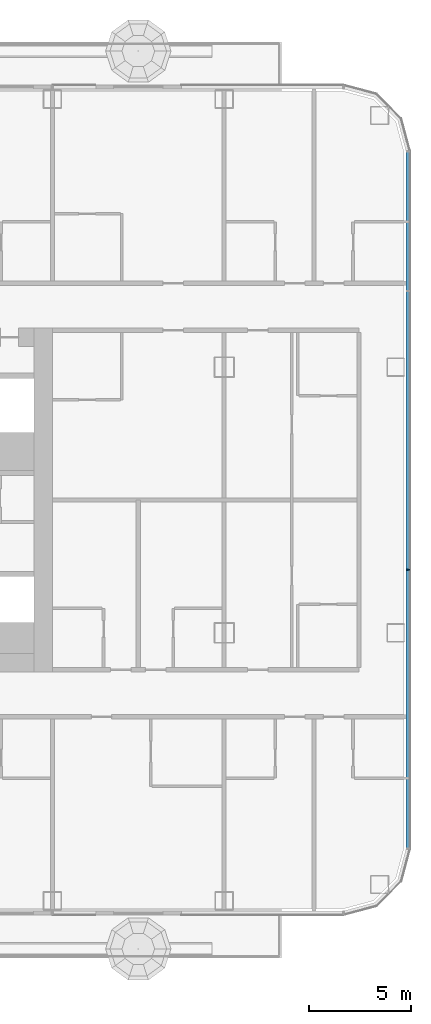
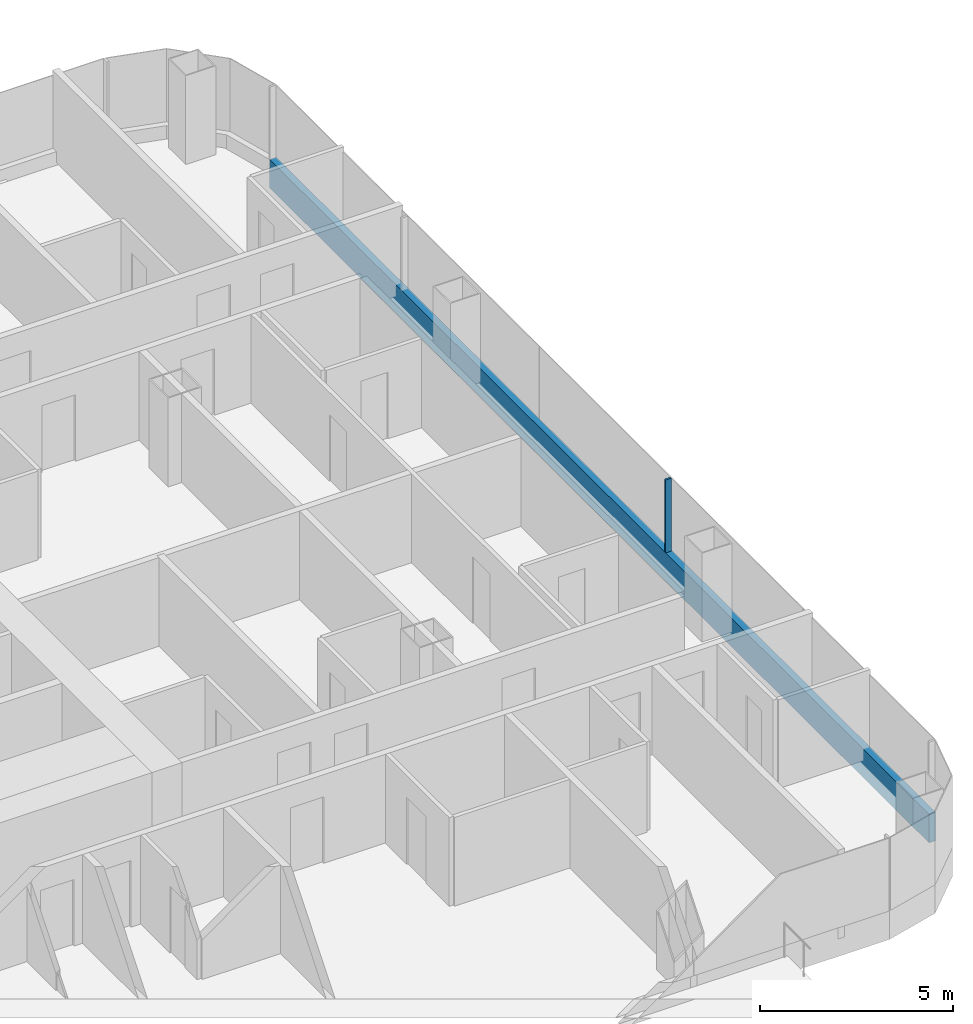
# One storey, part 9 of 36: 2 members, 1 element without a shape of its own.
"""IFC4 building model written with IfcOpenShell, lengths in metres."""

from ifc_helpers import new_model, si_unit, direction, frame, origin, origin_2d, place, context, subcontext, project, spatial, rectangle, extrude, material, layer, layer_set, material_profile, profile_set, type_object, element, aggregate, save


model = new_model("IFC4")

# Units and contexts
model_context = context("Model", 3, precision=1e-05, world=origin(), true_north=direction((0.0, 1.0)))
body_context = subcontext(model_context, "Body", "Model", "MODEL_VIEW")
ifc_project = project(units=[si_unit("LENGTHUNIT", "METRE"), si_unit("AREAUNIT", "SQUARE_METRE"), si_unit("VOLUMEUNIT", "CUBIC_METRE"), si_unit("PLANEANGLEUNIT", "RADIAN"), si_unit("MASSUNIT", "GRAM", prefix="KILO")], contexts=[model_context])

# Site, building, storey
site_placement = place(None, origin())
site = spatial("IfcSite", under=ifc_project, at=site_placement, CompositionType="ELEMENT")
building_placement = place(site_placement, origin())
building = spatial("IfcBuilding", under=site, at=building_placement, Name="Hakoniwa Tower and Hamabe Station Hall", CompositionType="ELEMENT")
storey_placement = place(building_placement, frame((0.0, 0.0, 26.199951171875)))
storey = spatial("IfcBuildingStorey", under=building, at=storey_placement, Name="L06", CompositionType="ELEMENT", Elevation=26.199951171875)

# Curtain wall, members
ifc_material_1 = material(Name="Dark low-e laminated glass", Category="glass")
ifc_layer = layer(ifc_material_1, 0.199951171875)
ifc_layer_set = layer_set([ifc_layer], Name="CW-1 UNITISED GUEST")
curtain_wall_type = type_object("IfcCurtainWallType", Name="CW-1 UNITISED GUEST", PredefinedType="NOTDEFINED", material=ifc_layer_set)
curtain_wall_placement = place(storey_placement, origin())
curtain_wall = element("IfcCurtainWall", 1, at=curtain_wall_placement, inside=storey, type_object=curtain_wall_type, Name="CW-1 curtain wall", PredefinedType="NOTDEFINED")
ifc_material_2 = material(Name="Aluminium 6063-T5 black anodised", Category="aluminium")
ifc_material_profile_1 = material_profile(ifc_material_2, rectangle(XDim=0.199951171875, YDim=0.89990234375, at=origin_2d()), Name="CW SLAB-EDGE BAND 900X200")
ifc_profile_set_1 = profile_set([ifc_material_profile_1], Name="Aluminium 6063-T5 black anodised")
member_type_1 = type_object("IfcMemberType", Name="CW SLAB-EDGE BAND 900X200", PredefinedType="USERDEFINED", material=ifc_profile_set_1)
member_1_placement = place(storey_placement, frame((51.0, -17.03955078125, -0.099853515625), z_axis=(0.0, 1.0, 0.0), x_axis=(-1.0, 0.0, 0.0)))
member_1 = element("IfcMember", 2, at=member_1_placement, type_object=member_type_1, Name="CW-1 transom", ObjectType="TRANSOM", PredefinedType="USERDEFINED", context=body_context, shape_type="SweptSolid", body=[
    extrude(rectangle(XDim=0.199951171875, YDim=0.89990234375, at=origin_2d()), origin(), (0.0, 0.0, 1.0), 34.0791015625),
])
ifc_material_3 = material(Name="Aluminium 6063-T5 black anodised", Category="aluminium")
ifc_material_profile_2 = material_profile(ifc_material_3, rectangle(XDim=0.06005859375, YDim=0.179931640625, at=origin_2d()), Name="CW-1 MULLION 60X180")
ifc_profile_set_2 = profile_set([ifc_material_profile_2], Name="Aluminium 6063-T5 black anodised")
member_type_2 = type_object("IfcMemberType", Name="CW-1 MULLION 60X180", PredefinedType="MULLION", material=ifc_profile_set_2)
member_2_placement = place(storey_placement, frame((50.98193359375, -3.407958984375, 0.35009765625), z_axis=(0.0, 0.0, 1.0), x_axis=(0.0, 1.0, 0.0)))
member_2 = element("IfcMember", 3, at=member_2_placement, type_object=member_type_2, Name="CW-1 mullion", PredefinedType="MULLION", context=body_context, shape_type="SweptSolid", body=[
    extrude(rectangle(XDim=0.06005859375, YDim=0.179931640625, at=origin_2d()), origin(), (0.0, 0.0, 1.0), 2.300048828125),
])
aggregate(curtain_wall, [member_2, member_1])

save(model, "model.ifc")
